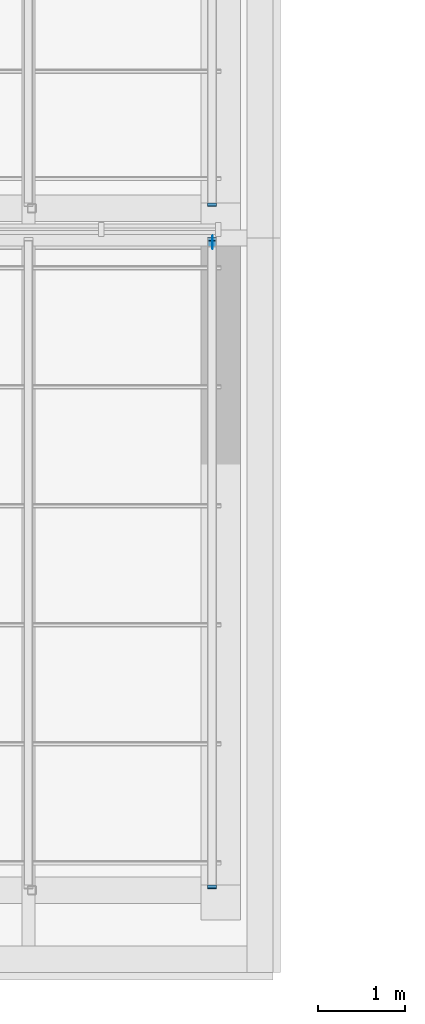
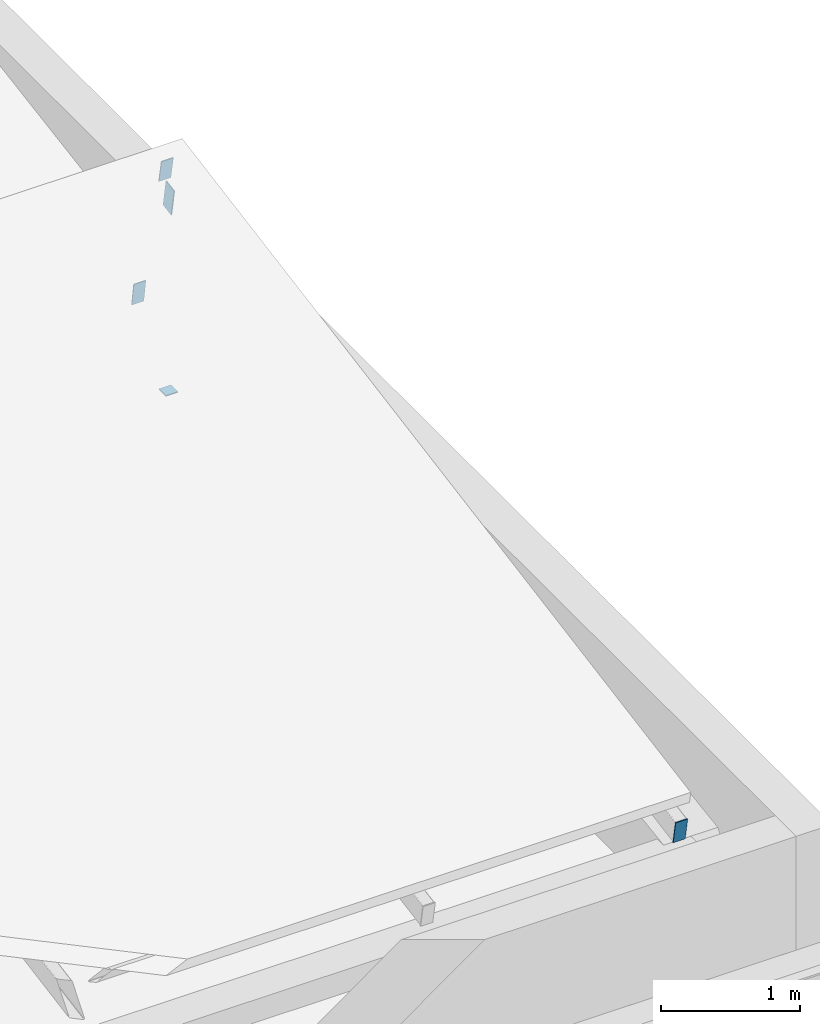
# One storey, part 39 of 42: 5 discrete accessories.
"""IFC4 building model written with IfcOpenShell, lengths in metres."""

from ifc_helpers import new_model, si_unit, direction, frame, origin, origin_2d, place, context, subcontext, project, spatial, rectangle, extrude, material, material_profile, profile_set, type_object, element, save


model = new_model("IFC4")

# Units and contexts
model_context = context("Model", 3, precision=1e-05, world=origin(), true_north=direction((0.0, 1.0)))
body_context = subcontext(model_context, "Body", "Model", "MODEL_VIEW")
ifc_project = project(units=[si_unit("LENGTHUNIT", "METRE"), si_unit("AREAUNIT", "SQUARE_METRE"), si_unit("VOLUMEUNIT", "CUBIC_METRE"), si_unit("PLANEANGLEUNIT", "RADIAN"), si_unit("MASSUNIT", "GRAM", prefix="KILO")], contexts=[model_context])

# Site, building, storey
site_placement = place(None, origin())
site = spatial("IfcSite", under=ifc_project, at=site_placement, CompositionType="ELEMENT")
building_placement = place(site_placement, origin())
building = spatial("IfcBuilding", under=site, at=building_placement, Name="Ardhachandra Cancer Care Centre", CompositionType="ELEMENT")
storey_placement = place(building_placement, frame((0.0, 0.0, 22.5)))
storey = spatial("IfcBuildingStorey", under=building, at=storey_placement, Name="L05", CompositionType="ELEMENT", Elevation=22.5)

# Discrete accessories
ifc_material_1 = material(Name="Galvanised flat steel (Steel E250 (IS 2062))", Category="steel")
ifc_material_profile_1 = material_profile(ifc_material_1, rectangle(XDim=0.10009765625, YDim=0.199951171875, at=origin_2d()), Name="Rafter end plate 200 x 100 x 8")
ifc_profile_set_1 = profile_set([ifc_material_profile_1], Name="Galvanised flat steel (Steel E250 (IS 2062))")
discrete_accessory_type_1 = type_object("IfcDiscreteAccessoryType", Name="Rafter end plate 200 x 100 x 8", PredefinedType="BRACKET", material=ifc_profile_set_1)
for number, where, z_axis, x_axis, name in (
    (1, (43.699951171875, 72.38232421875, 0.598388671875), (0.0, -0.982872186934, -0.18428853505), (1.0, 0.0, 0.0), "Rafter end plate NT1a.10.1"),
    (2, (43.699951171875, 79.782470703125, 1.91845703125), (0.0, 0.982872186934, 0.18428853505), (-1.0, 0.0, 0.0), "Rafter end plate NT1a.10.2"),
    (3, (43.699951171875, 80.183837890625, 0.5986328125), (0.0, -0.988715504225, -0.149805379428), (1.0, 0.0, 0.0), "Rafter end plate NT2a.13.1"),
):
    element("IfcDiscreteAccessory", number, at=place(storey_placement, frame(where, z_axis=z_axis, x_axis=x_axis)), inside=storey, type_object=discrete_accessory_type_1, Name=name, PredefinedType="BRACKET", context=body_context, shape_type="SweptSolid", body=[
        extrude(rectangle(XDim=0.10009765625, YDim=0.199951171875, at=origin_2d()), origin(), (0.0, 0.0, 1.0), 0.008056640625),
    ])
ifc_material_2 = material(Name="Galvanised flat steel (Steel E250 (IS 2062))", Category="steel")
ifc_material_profile_2 = material_profile(ifc_material_2, rectangle(XDim=0.1201171875, YDim=0.239990234375, at=origin_2d()), Name="Ridge beam end plate 240 x 120 x 8")
ifc_profile_set_2 = profile_set([ifc_material_profile_2], Name="Galvanised flat steel (Steel E250 (IS 2062))")
discrete_accessory_type_2 = type_object("IfcDiscreteAccessoryType", Name="Ridge beam end plate 240 x 120 x 8", PredefinedType="BRACKET", material=ifc_profile_set_2)
discrete_accessory_1_placement = place(storey_placement, frame((43.699951171875, 79.75, 1.689208984375), z_axis=(1.0, 0.0, 0.0), x_axis=(0.0, 0.984460447526, 0.175606455623)))
element("IfcDiscreteAccessory", 4, at=discrete_accessory_1_placement, inside=storey, type_object=discrete_accessory_type_2, Name="Ridge beam end plate NT1a.2", PredefinedType="BRACKET", context=body_context, shape_type="SweptSolid", body=[
    extrude(rectangle(XDim=0.1201171875, YDim=0.239990234375, at=origin_2d()), origin(), (0.0, 0.0, 1.0), 0.008056640625),
])
ifc_material_3 = material(Name="Galvanised flat steel (Steel E250 (IS 2062))", Category="steel")
ifc_material_profile_3 = material_profile(ifc_material_3, rectangle(XDim=0.10009765625, YDim=0.10009765625, at=origin_2d()), Name="Ridge post foot plate 100 x 100 x 8")
ifc_profile_set_3 = profile_set([ifc_material_profile_3], Name="Galvanised flat steel (Steel E250 (IS 2062))")
discrete_accessory_type_3 = type_object("IfcDiscreteAccessoryType", Name="Ridge post foot plate 100 x 100 x 8", PredefinedType="BRACKET", material=ifc_profile_set_3)
discrete_accessory_2_placement = place(storey_placement, frame((43.699951171875, 79.75, 0.0), z_axis=(0.0, 0.0, -1.0), x_axis=(1.0, 0.0, 0.0)))
element("IfcDiscreteAccessory", 5, at=discrete_accessory_2_placement, inside=storey, type_object=discrete_accessory_type_3, Name="Ridge post foot plate NT1a.4", PredefinedType="BRACKET", context=body_context, shape_type="SweptSolid", body=[
    extrude(rectangle(XDim=0.10009765625, YDim=0.10009765625, at=origin_2d()), origin(), (0.0, 0.0, 1.0), 0.008056640625),
])

save(model, "model.ifc")
